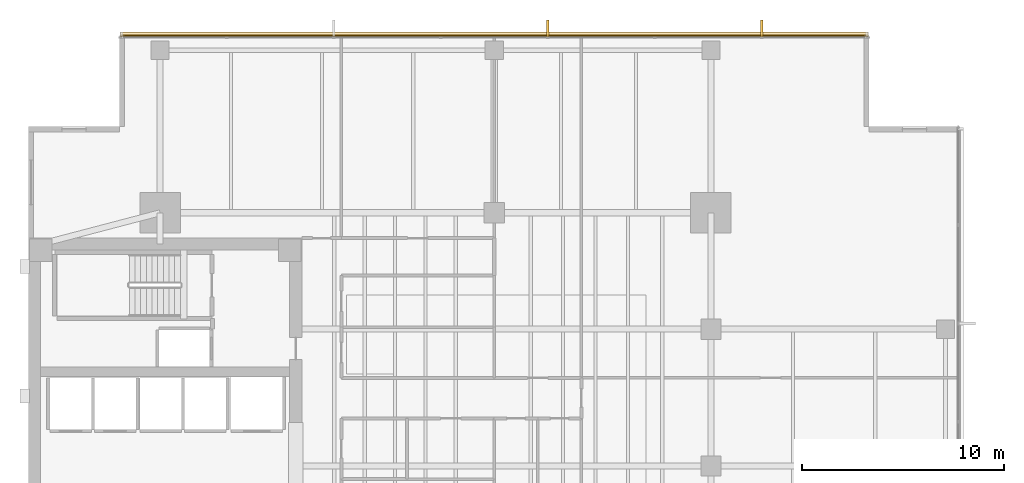
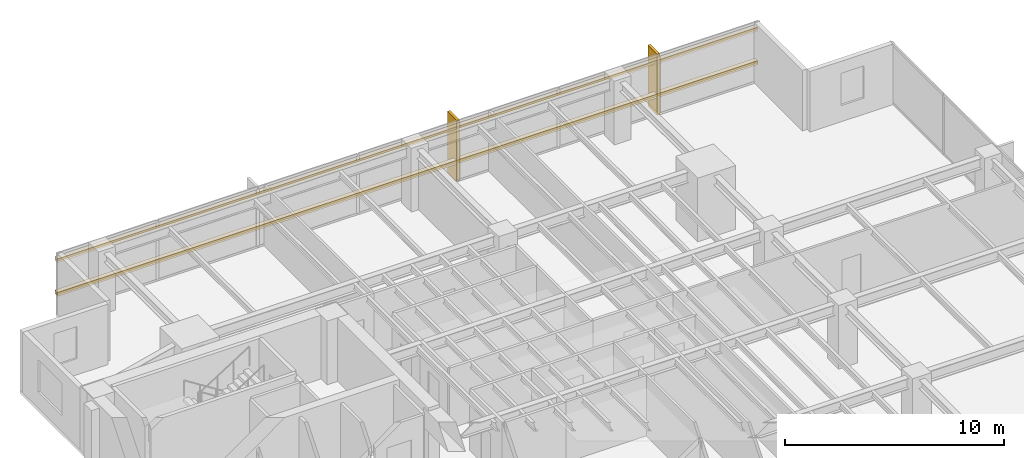
# One storey, part 14 of 14: 4 coverings, 2 shading devices.
"""IFC4 building model written with IfcOpenShell, lengths in metres."""

from ifc_helpers import new_model, si_unit, direction, frame, origin, origin_2d, place, context, subcontext, project, spatial, polyline, rectangle, outline, extrude, material, layer, layer_set, material_profile, profile_set, type_object, element, save


model = new_model("IFC4")

# Units and contexts
model_context = context("Model", 3, precision=1e-05, world=origin(), true_north=direction((0.0, 1.0)))
body_context = subcontext(model_context, "Body", "Model", "MODEL_VIEW")
ifc_project = project(units=[si_unit("LENGTHUNIT", "METRE"), si_unit("AREAUNIT", "SQUARE_METRE"), si_unit("VOLUMEUNIT", "CUBIC_METRE"), si_unit("PLANEANGLEUNIT", "RADIAN"), si_unit("MASSUNIT", "GRAM", prefix="KILO")], contexts=[model_context])

# Site, building, storey
site_placement = place(None, origin())
site = spatial("IfcSite", under=ifc_project, at=site_placement, CompositionType="ELEMENT")
building_placement = place(site_placement, origin())
building = spatial("IfcBuilding", under=site, at=building_placement, Name="Kinhvarn Gate Tower", CompositionType="ELEMENT")
storey_placement = place(building_placement, frame((0.0, 0.0, 162.60009765625)))
storey = spatial("IfcBuildingStorey", under=building, at=storey_placement, Name="L43", CompositionType="ELEMENT", Elevation=162.60009765625)

# Coverings
ifc_material = material(Name="Fired architectural terracotta", Category="masonry")
ifc_layer_1 = layer(ifc_material, 0.239990234375)
ifc_layer_set_1 = layer_set([ifc_layer_1], Name="Fired architectural terracotta")
covering_type_1 = type_object("IfcCoveringType", Name="COV-BAG-220", PredefinedType="CLADDING", material=ifc_layer_set_1)
for number, where, name in (
    (1, (0.0, 0.0, 0.93994140625), "Terracotta Horizontal Sunscreen Band TBG-220 (L43)"),
    (2, (0.0, 0.0, 2.809814453125), "Terracotta Horizontal Sunscreen Band TBG-220 (L43)"),
):
    element("IfcCovering", number, at=place(storey_placement, frame(where)), inside=storey, type_object=covering_type_1, Name=name, PredefinedType="CLADDING", context=body_context, shape_type="SweptSolid", body=[
        extrude(outline(polyline([(45.9599609375, 46.429931640625), (9.0400390625, 46.429931640625), (9.0400390625, 46.669921875), (45.9599609375, 46.669921875), (45.9599609375, 46.429931640625)])), origin(), (0.0, 0.0, 1.0), 0.219970703125),
    ])
ifc_layer_2 = layer(ifc_material, 0.139892578125)
ifc_layer_set_2 = layer_set([ifc_layer_2], Name="Fired architectural terracotta")
covering_type_2 = type_object("IfcCoveringType", Name="COV-FIN-850", PredefinedType="CLADDING", material=ifc_layer_set_2)
covering_1_placement = place(storey_placement, frame((0.0, 0.0, -0.02001953125)))
element("IfcCovering", 3, at=covering_1_placement, inside=storey, type_object=covering_type_2, Name="Vertical Terracotta Expressive Fin TFN-850 (L43)", PredefinedType="CLADDING", context=body_context, shape_type="SweptSolid", body=[
    extrude(outline(polyline([(40.7841796875, 46.419921875), (40.644287109375, 46.419921875), (40.644287109375, 47.27001953125), (40.7841796875, 47.27001953125), (40.7841796875, 46.419921875)])), origin(), (0.0, 0.0, 1.0), 3.409912109375),
])
covering_2_placement = place(storey_placement, frame((0.0, 0.0, -0.02001953125)))
element("IfcCovering", 4, at=covering_2_placement, inside=storey, type_object=covering_type_2, Name="Vertical Terracotta Expressive Fin TFN-850 (L43)", PredefinedType="CLADDING", context=body_context, shape_type="SweptSolid", body=[
    extrude(outline(polyline([(30.212890625, 46.419921875), (30.072998046875, 46.419921875), (30.072998046875, 47.27001953125), (30.212890625, 47.27001953125), (30.212890625, 46.419921875)])), origin(), (0.0, 0.0, 1.0), 3.409912109375),
])

# Shading devices
ifc_material_profile = material_profile(ifc_material, rectangle(XDim=0.050048828125, YDim=0.1201171875, at=origin_2d()), Name="TC 50x120")
ifc_profile_set = profile_set([ifc_material_profile], Name="Fired architectural terracotta")
shading_device_type = type_object("IfcShadingDeviceType", Name="SHD-BAG-140", PredefinedType="USERDEFINED", material=ifc_profile_set)
for number, where, z_axis, x_axis, name in (
    (5, (45.9599609375, 46.5, 1.0498046875), (-1.0, 0.0, 0.0), (0.0, -1.0, 0.0), "Upper Tower Terracotta Baguette Screen Rod 50x120 mm (L43)"),
    (6, (45.9599609375, 46.5, 2.919921875), (-1.0, 0.0, 0.0), (0.0, -1.0, 0.0), "Upper Tower Terracotta Baguette Screen Rod 50x120 mm (L43)"),
):
    element("IfcShadingDevice", number, at=place(storey_placement, frame(where, z_axis=z_axis, x_axis=x_axis)), inside=storey, type_object=shading_device_type, Name=name, ObjectType="BAGUETTE", PredefinedType="USERDEFINED", context=body_context, shape_type="SweptSolid", body=[
        extrude(rectangle(XDim=0.050048828125, YDim=0.1201171875, at=origin_2d()), origin(), (0.0, 0.0, 1.0), 36.919921875),
    ])

save(model, "model.ifc")
